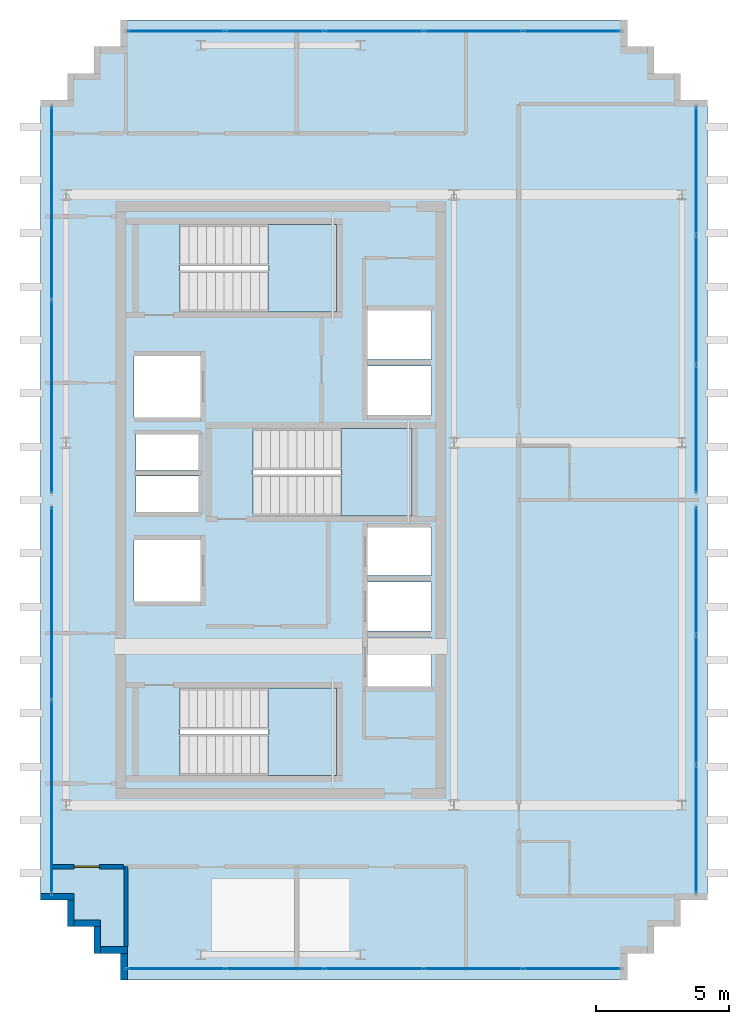
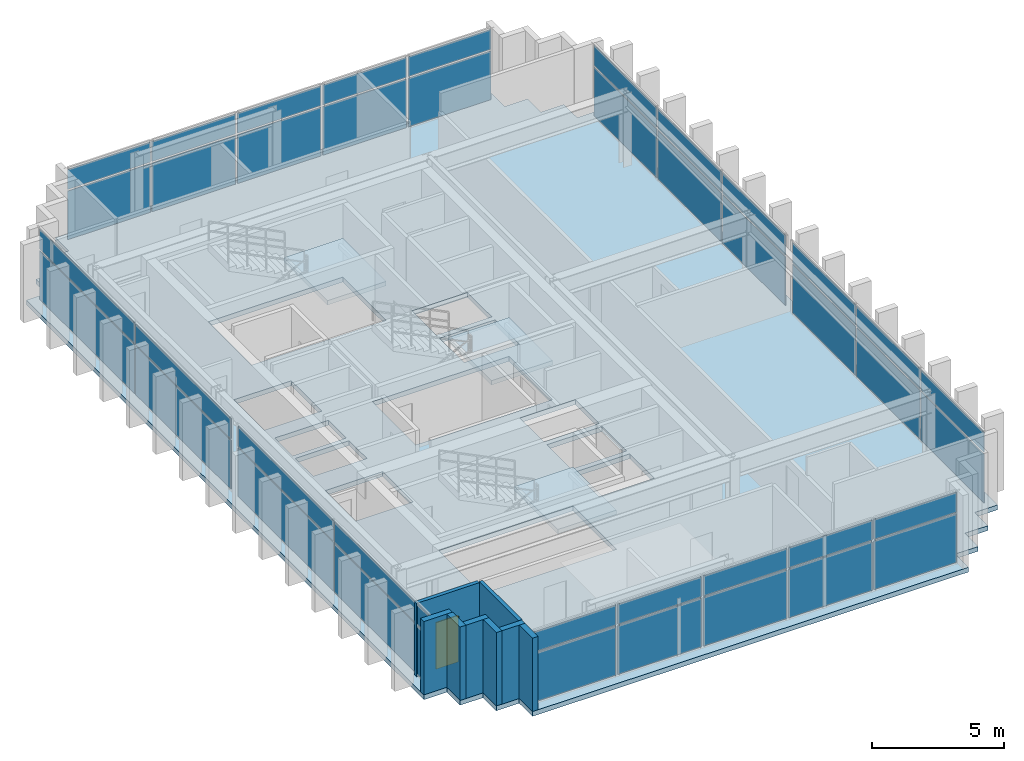
# One storey, part 11 of 15: 40 plates, 8 walls, 4 slabs, 1 door, 1 opening, 9 elements without a shape of their own.
"""IFC4 building model written with IfcOpenShell, lengths in metres."""

from ifc_helpers import new_model, si_unit, direction, frame, frame_2d, origin, origin_2d, place, context, subcontext, project, spatial, polyline, rectangle, outline, extrude, source, transform, mapped, material, layer, layer_set, type_object, element, fill, aggregate, save


model = new_model("IFC4")

# Units and contexts
model_context = context("Model", 3, precision=1e-05, world=origin(), true_north=direction((0.0, 1.0)))
body_context = subcontext(model_context, "Body", "Model", "MODEL_VIEW")
ifc_project = project(units=[si_unit("LENGTHUNIT", "METRE"), si_unit("AREAUNIT", "SQUARE_METRE"), si_unit("VOLUMEUNIT", "CUBIC_METRE"), si_unit("PLANEANGLEUNIT", "RADIAN"), si_unit("MASSUNIT", "GRAM", prefix="KILO")], contexts=[model_context])

# Site, building, storey
site_placement = place(None, origin())
site = spatial("IfcSite", under=ifc_project, at=site_placement, CompositionType="ELEMENT")
building_placement = place(site_placement, origin())
building = spatial("IfcBuilding", under=site, at=building_placement, Name="Ocotamira Hotel", CompositionType="ELEMENT")
storey_placement = place(building_placement, frame((0.0, 0.0, 294.0)))
storey = spatial("IfcBuildingStorey", under=building, at=storey_placement, Name="L75", CompositionType="ELEMENT", Elevation=294.0)

# Stair, slab
ifc_material_1 = material(Name="Concrete C40/50", Category="concrete")
stair_type = type_object("IfcStairType", Name="ST-CORE-1560", PredefinedType="HALF_TURN_STAIR", material=ifc_material_1)
stair_1_placement = place(storey_placement, origin())
stair_1 = element("IfcStair", 1, at=stair_1_placement, inside=storey, type_object=stair_type, Name="L75 Exit Stair ST-1", PredefinedType="HALF_TURN_STAIR")
ifc_layer_1 = layer(ifc_material_1, 0.199951171875)
ifc_layer_set_1 = layer_set([ifc_layer_1], Name="Concrete C40/50")
slab_type_1 = type_object("IfcSlabType", Name="SLB-LAND-200", PredefinedType="LANDING", material=ifc_layer_set_1)
slab_1_placement = place(storey_placement, frame((0.0, 0.0, 1.60009765625)))
slab_1 = element("IfcSlab", 2, at=slab_1_placement, type_object=slab_type_1, Name="ST-1 landing 1", PredefinedType="LANDING", context=body_context, shape_type="SweptSolid", body=[
    extrude(outline(polyline([(16.530029296875, 15.669921875), (19.090087890625, 15.669921875), (19.090087890625, 18.949951171875), (16.530029296875, 18.949951171875), (16.530029296875, 15.669921875)])), origin(), (0.0, 0.0, 1.0), 0.199951171875),
])
aggregate(stair_1, [slab_1])

stair_2_placement = place(storey_placement, origin())
stair_2 = element("IfcStair", 3, at=stair_2_placement, inside=storey, type_object=stair_type, Name="L75 Exit Stair ST-2", PredefinedType="HALF_TURN_STAIR")
slab_2_placement = place(storey_placement, frame((0.0, 0.0, 1.60009765625)))
slab_2 = element("IfcSlab", 4, at=slab_2_placement, type_object=slab_type_1, Name="ST-2 landing 1", PredefinedType="LANDING", context=body_context, shape_type="SweptSolid", body=[
    extrude(outline(polyline([(16.530029296875, 33.050048828125), (19.090087890625, 33.050048828125), (19.090087890625, 36.330078125), (16.530029296875, 36.330078125), (16.530029296875, 33.050048828125)])), origin(), (0.0, 0.0, 1.0), 0.199951171875),
])
aggregate(stair_2, [slab_2])

stair_3_placement = place(storey_placement, origin())
stair_3 = element("IfcStair", 5, at=stair_3_placement, inside=storey, type_object=stair_type, Name="L75 Exit Stair ST-3", PredefinedType="HALF_TURN_STAIR")
slab_3_placement = place(storey_placement, frame((0.0, 0.0, 1.60009765625)))
slab_3 = element("IfcSlab", 6, at=slab_3_placement, type_object=slab_type_1, Name="ST-3 landing 1", PredefinedType="LANDING", context=body_context, shape_type="SweptSolid", body=[
    extrude(outline(polyline([(19.260009765625, 25.39990234375), (21.919921875, 25.39990234375), (21.919921875, 28.679931640625), (19.260009765625, 28.679931640625), (19.260009765625, 25.39990234375)])), origin(), (0.0, 0.0, 1.0), 0.199951171875),
])
aggregate(stair_3, [slab_3])

# Slab
ifc_layer_2 = layer(ifc_material_1, 0.219970703125)
ifc_layer_set_2 = layer_set([ifc_layer_2], Name="Concrete C40/50")
slab_type_2 = type_object("IfcSlabType", Name="SLB-UPP-220", PredefinedType="FLOOR", material=ifc_layer_set_2)
slab_4_placement = place(storey_placement, frame((0.0, 0.0, -0.219970703125)))
element("IfcSlab", 7, at=slab_4_placement, inside=storey, type_object=slab_type_2, Name="L75 Structural Floor Slab", PredefinedType="FLOOR", context=body_context, shape_type="SweptSolid", body=[
    extrude(outline(polyline([(11.0, 8.0), (30.0, 8.0), (30.0, 9.0), (31.0, 9.0), (31.0, 10.0), (32.0, 10.0), (32.0, 11.0), (33.0, 11.0), (33.0, 41.0), (32.0, 41.0), (32.0, 42.0), (31.0, 42.0), (31.0, 43.0), (30.0, 43.0), (30.0, 44.0), (11.0, 44.0), (11.0, 43.0), (10.0, 43.0), (10.0, 42.0), (9.0, 42.0), (9.0, 41.0), (8.0, 41.0), (8.0, 11.0), (9.0, 11.0), (9.0, 10.0), (10.0, 10.0), (10.0, 9.0), (11.0, 9.0), (11.0, 8.0)]), holes=[polyline([(13.22998046875, 15.669921875), (19.090087890625, 15.669921875), (19.090087890625, 18.949951171875), (13.22998046875, 18.949951171875), (13.22998046875, 15.669921875)]), polyline([(13.22998046875, 33.050048828125), (19.090087890625, 33.050048828125), (19.090087890625, 36.330078125), (13.22998046875, 36.330078125), (13.22998046875, 33.050048828125)]), polyline([(15.9599609375, 25.39990234375), (21.919921875, 25.39990234375), (21.919921875, 28.679931640625), (15.9599609375, 28.679931640625), (15.9599609375, 25.39990234375)]), polyline([(20.25, 19.0), (22.659912109375, 19.0), (22.659912109375, 20.85009765625), (20.25, 20.85009765625), (20.25, 19.0)]), polyline([(20.25, 21.080078125), (22.659912109375, 21.080078125), (22.659912109375, 22.929931640625), (20.25, 22.929931640625), (20.25, 21.080078125)]), polyline([(20.25, 23.159912109375), (22.659912109375, 23.159912109375), (22.659912109375, 24.9599609375), (20.25, 24.9599609375), (20.25, 23.159912109375)]), polyline([(20.25, 29.179931640625), (22.659912109375, 29.179931640625), (22.659912109375, 31.030029296875), (20.25, 31.030029296875), (20.25, 29.179931640625)]), polyline([(20.25, 31.260009765625), (22.659912109375, 31.260009765625), (22.659912109375, 33.110107421875), (20.25, 33.110107421875), (20.25, 31.260009765625)]), polyline([(11.5, 22.199951171875), (14.0, 22.199951171875), (14.0, 24.5), (11.5, 24.5), (11.5, 22.199951171875)]), polyline([(11.5, 29.10009765625), (14.0, 29.10009765625), (14.0, 31.39990234375), (11.5, 31.39990234375), (11.5, 29.10009765625)]), polyline([(11.580078125, 25.550048828125), (13.919921875, 25.550048828125), (13.919921875, 26.89990234375), (11.580078125, 26.89990234375), (11.580078125, 25.550048828125)]), polyline([(11.580078125, 27.10009765625), (13.919921875, 27.10009765625), (13.919921875, 28.449951171875), (11.580078125, 28.449951171875), (11.580078125, 27.10009765625)])]), origin(), (0.0, 0.0, 1.0), 0.219970703125),
])

# Curtain wall, plates
ifc_material_2 = material(Name="Anodised pale-metal aluminium and solar glass", Category="aluminium")
ifc_layer_3 = layer(ifc_material_2, 0.2099609375)
ifc_layer_set_3 = layer_set([ifc_layer_3], Name="Anodised pale-metal aluminium and solar glass")
curtain_wall_type = type_object("IfcCurtainWallType", Name="CW-SYS7-PEAK", PredefinedType="NOTDEFINED", material=ifc_layer_set_3)
curtain_wall_1_placement = place(storey_placement, origin())
curtain_wall_1 = element("IfcCurtainWall", 8, at=curtain_wall_1_placement, inside=storey, type_object=curtain_wall_type, Name="L75 Curtain Wall CW-7 CW-L75-W1", PredefinedType="NOTDEFINED")
ifc_material_3 = material(Name="Double-silver low-E insulated solar glass", Category="glass")
ifc_layer_4 = layer(ifc_material_3, 0.031982421875)
ifc_layer_set_4 = layer_set([ifc_layer_4], Name="Double-silver low-E insulated solar glass")
plate_type = type_object("IfcPlateType", Name="CWP-VISION-32", PredefinedType="CURTAIN_PANEL", material=ifc_layer_set_4)
shared_shape_1 = source(origin(), body_context, "Body", "SweptSolid", [
    extrude(rectangle(XDim=7.179931640625, YDim=0.031982421875, at=origin_2d()), origin(), (0.0, 0.0, 1.0), 2.237548828125),
])
plate_1_placement = place(storey_placement, frame((8.419921875, 14.8701171875, 0.0751953125), z_axis=(0.0, 0.0, 1.0), x_axis=(0.0, 1.0, 0.0)))
plate_1 = element("IfcPlate", 9, at=plate_1_placement, type_object=plate_type, Name="CW-7 panel 1.1", PredefinedType="CURTAIN_PANEL", context=body_context, shape_type="MappedRepresentation", body=[
    mapped(shared_shape_1, transform((0.0, 0.0, 0.0), scale=1.0)),
])
plate_2_placement = place(storey_placement, frame((8.419921875, 22.1298828125, 0.0751953125), z_axis=(0.0, 0.0, 1.0), x_axis=(0.0, 1.0, 0.0)))
plate_2 = element("IfcPlate", 10, at=plate_2_placement, type_object=plate_type, Name="CW-7 panel 2.1", PredefinedType="CURTAIN_PANEL", context=body_context, shape_type="MappedRepresentation", body=[
    mapped(shared_shape_1, transform((0.0, 0.0, 0.0), scale=1.0)),
])

curtain_wall_2_placement = place(storey_placement, origin())
curtain_wall_2 = element("IfcCurtainWall", 11, at=curtain_wall_2_placement, inside=storey, type_object=curtain_wall_type, Name="L75 Curtain Wall CW-7 CW-L75-W2", PredefinedType="NOTDEFINED")
plate_3_placement = place(storey_placement, frame((8.419921875, 29.8701171875, 0.0751953125), z_axis=(0.0, 0.0, 1.0), x_axis=(0.0, 1.0, 0.0)))
plate_3 = element("IfcPlate", 12, at=plate_3_placement, type_object=plate_type, Name="CW-7 panel 1.1", PredefinedType="CURTAIN_PANEL", context=body_context, shape_type="MappedRepresentation", body=[
    mapped(shared_shape_1, transform((0.0, 0.0, 0.0), scale=1.0)),
])
plate_4_placement = place(storey_placement, frame((8.419921875, 37.1298828125, 0.0751953125), z_axis=(0.0, 0.0, 1.0), x_axis=(0.0, 1.0, 0.0)))
plate_4 = element("IfcPlate", 13, at=plate_4_placement, type_object=plate_type, Name="CW-7 panel 2.1", PredefinedType="CURTAIN_PANEL", context=body_context, shape_type="MappedRepresentation", body=[
    mapped(shared_shape_1, transform((0.0, 0.0, 0.0), scale=1.0)),
])

# Plate
shared_shape_2 = source(origin(), body_context, "Body", "SweptSolid", [
    extrude(rectangle(XDim=7.179931640625, YDim=0.031982421875, at=origin_2d()), origin(), (0.0, 0.0, 1.0), 0.91748046875),
])
plate_5_placement = place(storey_placement, frame((8.419921875, 14.8701171875, 2.387451171875), z_axis=(0.0, 0.0, 1.0), x_axis=(0.0, 1.0, 0.0)))
plate_5 = element("IfcPlate", 14, at=plate_5_placement, type_object=plate_type, Name="CW-7 panel 1.2", PredefinedType="CURTAIN_PANEL", context=body_context, shape_type="MappedRepresentation", body=[
    mapped(shared_shape_2, transform((0.0, 0.0, 0.0), scale=1.0)),
])

plate_6_placement = place(storey_placement, frame((8.419921875, 22.1298828125, 2.387451171875), z_axis=(0.0, 0.0, 1.0), x_axis=(0.0, 1.0, 0.0)))
plate_6 = element("IfcPlate", 15, at=plate_6_placement, type_object=plate_type, Name="CW-7 panel 2.2", PredefinedType="CURTAIN_PANEL", context=body_context, shape_type="MappedRepresentation", body=[
    mapped(shared_shape_2, transform((0.0, 0.0, 0.0), scale=1.0)),
])

aggregate(curtain_wall_1, [plate_1, plate_5, plate_2, plate_6])

plate_7_placement = place(storey_placement, frame((8.419921875, 29.8701171875, 2.387451171875), z_axis=(0.0, 0.0, 1.0), x_axis=(0.0, 1.0, 0.0)))
plate_7 = element("IfcPlate", 16, at=plate_7_placement, type_object=plate_type, Name="CW-7 panel 1.2", PredefinedType="CURTAIN_PANEL", context=body_context, shape_type="MappedRepresentation", body=[
    mapped(shared_shape_2, transform((0.0, 0.0, 0.0), scale=1.0)),
])

plate_8_placement = place(storey_placement, frame((8.419921875, 37.1298828125, 2.387451171875), z_axis=(0.0, 0.0, 1.0), x_axis=(0.0, 1.0, 0.0)))
plate_8 = element("IfcPlate", 17, at=plate_8_placement, type_object=plate_type, Name="CW-7 panel 2.2", PredefinedType="CURTAIN_PANEL", context=body_context, shape_type="MappedRepresentation", body=[
    mapped(shared_shape_2, transform((0.0, 0.0, 0.0), scale=1.0)),
])

aggregate(curtain_wall_2, [plate_3, plate_7, plate_4, plate_8])

# Curtain wall, plates
curtain_wall_3_placement = place(storey_placement, origin())
curtain_wall_3 = element("IfcCurtainWall", 18, at=curtain_wall_3_placement, inside=storey, type_object=curtain_wall_type, Name="L75 Curtain Wall CW-7 CW-L75-S1", PredefinedType="NOTDEFINED")
shared_shape_3 = source(origin(), body_context, "Body", "SweptSolid", [
    extrude(rectangle(XDim=3.60009765625, YDim=0.031982421875, at=origin_2d()), origin(), (0.0, 0.0, 1.0), 2.237548828125),
])
plate_9_placement = place(storey_placement, frame((13.080078125, 8.419921875, 0.0751953125), z_axis=(0.0, 0.0, 1.0), x_axis=(1.0, 0.0, 0.0)))
plate_9 = element("IfcPlate", 19, at=plate_9_placement, type_object=plate_type, Name="CW-7 panel 1.1", PredefinedType="CURTAIN_PANEL", context=body_context, shape_type="MappedRepresentation", body=[
    mapped(shared_shape_3, transform((0.0, 0.0, 0.0), scale=1.0)),
])
plate_10_placement = place(storey_placement, frame((27.919921875, 8.419921875, 0.0751953125), z_axis=(0.0, 0.0, 1.0), x_axis=(1.0, 0.0, 0.0)))
plate_10 = element("IfcPlate", 20, at=plate_10_placement, type_object=plate_type, Name="CW-7 panel 5.1", PredefinedType="CURTAIN_PANEL", context=body_context, shape_type="MappedRepresentation", body=[
    mapped(shared_shape_3, transform((0.0, 0.0, 0.0), scale=1.0)),
])

curtain_wall_4_placement = place(storey_placement, origin())
curtain_wall_4 = element("IfcCurtainWall", 21, at=curtain_wall_4_placement, inside=storey, type_object=curtain_wall_type, Name="L75 Curtain Wall CW-7 CW-L75-N", PredefinedType="NOTDEFINED")
plate_11_placement = place(storey_placement, frame((13.080078125, 43.580078125, 0.0751953125), z_axis=(0.0, 0.0, 1.0), x_axis=(1.0, 0.0, 0.0)))
plate_11 = element("IfcPlate", 22, at=plate_11_placement, type_object=plate_type, Name="CW-7 panel 1.1", PredefinedType="CURTAIN_PANEL", context=body_context, shape_type="MappedRepresentation", body=[
    mapped(shared_shape_3, transform((0.0, 0.0, 0.0), scale=1.0)),
])
plate_12_placement = place(storey_placement, frame((27.919921875, 43.580078125, 0.0751953125), z_axis=(0.0, 0.0, 1.0), x_axis=(1.0, 0.0, 0.0)))
plate_12 = element("IfcPlate", 23, at=plate_12_placement, type_object=plate_type, Name="CW-7 panel 5.1", PredefinedType="CURTAIN_PANEL", context=body_context, shape_type="MappedRepresentation", body=[
    mapped(shared_shape_3, transform((0.0, 0.0, 0.0), scale=1.0)),
])

# Plate
shared_shape_4 = source(origin(), body_context, "Body", "SweptSolid", [
    extrude(rectangle(XDim=3.60009765625, YDim=0.031982421875, at=origin_2d()), origin(), (0.0, 0.0, 1.0), 0.91748046875),
])
plate_13_placement = place(storey_placement, frame((13.080078125, 8.419921875, 2.387451171875), z_axis=(0.0, 0.0, 1.0), x_axis=(1.0, 0.0, 0.0)))
plate_13 = element("IfcPlate", 24, at=plate_13_placement, type_object=plate_type, Name="CW-7 panel 1.2", PredefinedType="CURTAIN_PANEL", context=body_context, shape_type="MappedRepresentation", body=[
    mapped(shared_shape_4, transform((0.0, 0.0, 0.0), scale=1.0)),
])

plate_14_placement = place(storey_placement, frame((27.919921875, 8.419921875, 2.387451171875), z_axis=(0.0, 0.0, 1.0), x_axis=(1.0, 0.0, 0.0)))
plate_14 = element("IfcPlate", 25, at=plate_14_placement, type_object=plate_type, Name="CW-7 panel 5.2", PredefinedType="CURTAIN_PANEL", context=body_context, shape_type="MappedRepresentation", body=[
    mapped(shared_shape_4, transform((0.0, 0.0, 0.0), scale=1.0)),
])

plate_15_placement = place(storey_placement, frame((13.080078125, 43.580078125, 2.387451171875), z_axis=(0.0, 0.0, 1.0), x_axis=(1.0, 0.0, 0.0)))
plate_15 = element("IfcPlate", 26, at=plate_15_placement, type_object=plate_type, Name="CW-7 panel 1.2", PredefinedType="CURTAIN_PANEL", context=body_context, shape_type="MappedRepresentation", body=[
    mapped(shared_shape_4, transform((0.0, 0.0, 0.0), scale=1.0)),
])

plate_16_placement = place(storey_placement, frame((27.919921875, 43.580078125, 2.387451171875), z_axis=(0.0, 0.0, 1.0), x_axis=(1.0, 0.0, 0.0)))
plate_16 = element("IfcPlate", 27, at=plate_16_placement, type_object=plate_type, Name="CW-7 panel 5.2", PredefinedType="CURTAIN_PANEL", context=body_context, shape_type="MappedRepresentation", body=[
    mapped(shared_shape_4, transform((0.0, 0.0, 0.0), scale=1.0)),
])

shared_shape_5 = source(origin(), body_context, "Body", "SweptSolid", [
    extrude(rectangle(XDim=3.639892578125, YDim=0.031982421875, at=origin_2d()), origin(), (0.0, 0.0, 1.0), 2.237548828125),
])
plate_17_placement = place(storey_placement, frame((16.780029296875, 8.419921875, 0.0751953125), z_axis=(0.0, 0.0, 1.0), x_axis=(1.0, 0.0, 0.0)))
plate_17 = element("IfcPlate", 28, at=plate_17_placement, type_object=plate_type, Name="CW-7 panel 2.1", PredefinedType="CURTAIN_PANEL", context=body_context, shape_type="MappedRepresentation", body=[
    mapped(shared_shape_5, transform((0.0, 0.0, 0.0), scale=1.0)),
])

plate_18_placement = place(storey_placement, frame((20.5, 8.419921875, 0.0751953125), z_axis=(0.0, 0.0, 1.0), x_axis=(1.0, 0.0, 0.0)))
plate_18 = element("IfcPlate", 29, at=plate_18_placement, type_object=plate_type, Name="CW-7 panel 3.1", PredefinedType="CURTAIN_PANEL", context=body_context, shape_type="MappedRepresentation", body=[
    mapped(shared_shape_5, transform((0.0, 0.0, 0.0), scale=1.0)),
])

plate_19_placement = place(storey_placement, frame((24.219970703125, 8.419921875, 0.0751953125), z_axis=(0.0, 0.0, 1.0), x_axis=(1.0, 0.0, 0.0)))
plate_19 = element("IfcPlate", 30, at=plate_19_placement, type_object=plate_type, Name="CW-7 panel 4.1", PredefinedType="CURTAIN_PANEL", context=body_context, shape_type="MappedRepresentation", body=[
    mapped(shared_shape_5, transform((0.0, 0.0, 0.0), scale=1.0)),
])

plate_20_placement = place(storey_placement, frame((16.780029296875, 43.580078125, 0.0751953125), z_axis=(0.0, 0.0, 1.0), x_axis=(1.0, 0.0, 0.0)))
plate_20 = element("IfcPlate", 31, at=plate_20_placement, type_object=plate_type, Name="CW-7 panel 2.1", PredefinedType="CURTAIN_PANEL", context=body_context, shape_type="MappedRepresentation", body=[
    mapped(shared_shape_5, transform((0.0, 0.0, 0.0), scale=1.0)),
])

plate_21_placement = place(storey_placement, frame((20.5, 43.580078125, 0.0751953125), z_axis=(0.0, 0.0, 1.0), x_axis=(1.0, 0.0, 0.0)))
plate_21 = element("IfcPlate", 32, at=plate_21_placement, type_object=plate_type, Name="CW-7 panel 3.1", PredefinedType="CURTAIN_PANEL", context=body_context, shape_type="MappedRepresentation", body=[
    mapped(shared_shape_5, transform((0.0, 0.0, 0.0), scale=1.0)),
])

plate_22_placement = place(storey_placement, frame((24.219970703125, 43.580078125, 0.0751953125), z_axis=(0.0, 0.0, 1.0), x_axis=(1.0, 0.0, 0.0)))
plate_22 = element("IfcPlate", 33, at=plate_22_placement, type_object=plate_type, Name="CW-7 panel 4.1", PredefinedType="CURTAIN_PANEL", context=body_context, shape_type="MappedRepresentation", body=[
    mapped(shared_shape_5, transform((0.0, 0.0, 0.0), scale=1.0)),
])

shared_shape_6 = source(origin(), body_context, "Body", "SweptSolid", [
    extrude(rectangle(XDim=3.639892578125, YDim=0.031982421875, at=origin_2d()), origin(), (0.0, 0.0, 1.0), 0.91748046875),
])
plate_23_placement = place(storey_placement, frame((16.780029296875, 8.419921875, 2.387451171875), z_axis=(0.0, 0.0, 1.0), x_axis=(1.0, 0.0, 0.0)))
plate_23 = element("IfcPlate", 34, at=plate_23_placement, type_object=plate_type, Name="CW-7 panel 2.2", PredefinedType="CURTAIN_PANEL", context=body_context, shape_type="MappedRepresentation", body=[
    mapped(shared_shape_6, transform((0.0, 0.0, 0.0), scale=1.0)),
])

plate_24_placement = place(storey_placement, frame((20.5, 8.419921875, 2.387451171875), z_axis=(0.0, 0.0, 1.0), x_axis=(1.0, 0.0, 0.0)))
plate_24 = element("IfcPlate", 35, at=plate_24_placement, type_object=plate_type, Name="CW-7 panel 3.2", PredefinedType="CURTAIN_PANEL", context=body_context, shape_type="MappedRepresentation", body=[
    mapped(shared_shape_6, transform((0.0, 0.0, 0.0), scale=1.0)),
])

plate_25_placement = place(storey_placement, frame((24.219970703125, 8.419921875, 2.387451171875), z_axis=(0.0, 0.0, 1.0), x_axis=(1.0, 0.0, 0.0)))
plate_25 = element("IfcPlate", 36, at=plate_25_placement, type_object=plate_type, Name="CW-7 panel 4.2", PredefinedType="CURTAIN_PANEL", context=body_context, shape_type="MappedRepresentation", body=[
    mapped(shared_shape_6, transform((0.0, 0.0, 0.0), scale=1.0)),
])

aggregate(curtain_wall_3, [plate_9, plate_13, plate_17, plate_23, plate_18, plate_24, plate_19, plate_25, plate_10, plate_14])

plate_26_placement = place(storey_placement, frame((16.780029296875, 43.580078125, 2.387451171875), z_axis=(0.0, 0.0, 1.0), x_axis=(1.0, 0.0, 0.0)))
plate_26 = element("IfcPlate", 37, at=plate_26_placement, type_object=plate_type, Name="CW-7 panel 2.2", PredefinedType="CURTAIN_PANEL", context=body_context, shape_type="MappedRepresentation", body=[
    mapped(shared_shape_6, transform((0.0, 0.0, 0.0), scale=1.0)),
])

plate_27_placement = place(storey_placement, frame((20.5, 43.580078125, 2.387451171875), z_axis=(0.0, 0.0, 1.0), x_axis=(1.0, 0.0, 0.0)))
plate_27 = element("IfcPlate", 38, at=plate_27_placement, type_object=plate_type, Name="CW-7 panel 3.2", PredefinedType="CURTAIN_PANEL", context=body_context, shape_type="MappedRepresentation", body=[
    mapped(shared_shape_6, transform((0.0, 0.0, 0.0), scale=1.0)),
])

plate_28_placement = place(storey_placement, frame((24.219970703125, 43.580078125, 2.387451171875), z_axis=(0.0, 0.0, 1.0), x_axis=(1.0, 0.0, 0.0)))
plate_28 = element("IfcPlate", 39, at=plate_28_placement, type_object=plate_type, Name="CW-7 panel 4.2", PredefinedType="CURTAIN_PANEL", context=body_context, shape_type="MappedRepresentation", body=[
    mapped(shared_shape_6, transform((0.0, 0.0, 0.0), scale=1.0)),
])

aggregate(curtain_wall_4, [plate_11, plate_15, plate_20, plate_26, plate_21, plate_27, plate_22, plate_28, plate_12, plate_16])

# Curtain wall, plates
curtain_wall_5_placement = place(storey_placement, origin())
curtain_wall_5 = element("IfcCurtainWall", 40, at=curtain_wall_5_placement, inside=storey, type_object=curtain_wall_type, Name="L75 Curtain Wall CW-7 CW-L75-E1", PredefinedType="NOTDEFINED")
shared_shape_7 = source(origin(), body_context, "Body", "SweptSolid", [
    extrude(rectangle(XDim=4.74658203125, YDim=0.031982421875, at=origin_2d()), origin(), (0.0, 0.0, 1.0), 2.237548828125),
])
plate_29_placement = place(storey_placement, frame((32.580078125, 13.6533203125, 0.0751953125), z_axis=(0.0, 0.0, 1.0), x_axis=(0.0, 1.0, 0.0)))
plate_29 = element("IfcPlate", 41, at=plate_29_placement, type_object=plate_type, Name="CW-7 panel 1.1", PredefinedType="CURTAIN_PANEL", context=body_context, shape_type="MappedRepresentation", body=[
    mapped(shared_shape_7, transform((0.0, 0.0, 0.0), scale=1.0)),
])
plate_30_placement = place(storey_placement, frame((32.580078125, 23.3466796875, 0.0751953125), z_axis=(0.0, 0.0, 1.0), x_axis=(0.0, 1.0, 0.0)))
plate_30 = element("IfcPlate", 42, at=plate_30_placement, type_object=plate_type, Name="CW-7 panel 3.1", PredefinedType="CURTAIN_PANEL", context=body_context, shape_type="MappedRepresentation", body=[
    mapped(shared_shape_7, transform((0.0, 0.0, 0.0), scale=1.0)),
])

curtain_wall_6_placement = place(storey_placement, origin())
curtain_wall_6 = element("IfcCurtainWall", 43, at=curtain_wall_6_placement, inside=storey, type_object=curtain_wall_type, Name="L75 Curtain Wall CW-7 CW-L75-E2", PredefinedType="NOTDEFINED")
plate_31_placement = place(storey_placement, frame((32.580078125, 28.6533203125, 0.0751953125), z_axis=(0.0, 0.0, 1.0), x_axis=(0.0, 1.0, 0.0)))
plate_31 = element("IfcPlate", 44, at=plate_31_placement, type_object=plate_type, Name="CW-7 panel 1.1", PredefinedType="CURTAIN_PANEL", context=body_context, shape_type="MappedRepresentation", body=[
    mapped(shared_shape_7, transform((0.0, 0.0, 0.0), scale=1.0)),
])
plate_32_placement = place(storey_placement, frame((32.580078125, 38.3466796875, 0.0751953125), z_axis=(0.0, 0.0, 1.0), x_axis=(0.0, 1.0, 0.0)))
plate_32 = element("IfcPlate", 45, at=plate_32_placement, type_object=plate_type, Name="CW-7 panel 3.1", PredefinedType="CURTAIN_PANEL", context=body_context, shape_type="MappedRepresentation", body=[
    mapped(shared_shape_7, transform((0.0, 0.0, 0.0), scale=1.0)),
])

# Plate
shared_shape_8 = source(origin(), body_context, "Body", "SweptSolid", [
    extrude(rectangle(XDim=4.74658203125, YDim=0.031982421875, at=origin_2d()), origin(), (0.0, 0.0, 1.0), 0.91748046875),
])
plate_33_placement = place(storey_placement, frame((32.580078125, 13.6533203125, 2.387451171875), z_axis=(0.0, 0.0, 1.0), x_axis=(0.0, 1.0, 0.0)))
plate_33 = element("IfcPlate", 46, at=plate_33_placement, type_object=plate_type, Name="CW-7 panel 1.2", PredefinedType="CURTAIN_PANEL", context=body_context, shape_type="MappedRepresentation", body=[
    mapped(shared_shape_8, transform((0.0, 0.0, 0.0), scale=1.0)),
])

plate_34_placement = place(storey_placement, frame((32.580078125, 23.3466796875, 2.387451171875), z_axis=(0.0, 0.0, 1.0), x_axis=(0.0, 1.0, 0.0)))
plate_34 = element("IfcPlate", 47, at=plate_34_placement, type_object=plate_type, Name="CW-7 panel 3.2", PredefinedType="CURTAIN_PANEL", context=body_context, shape_type="MappedRepresentation", body=[
    mapped(shared_shape_8, transform((0.0, 0.0, 0.0), scale=1.0)),
])

plate_35_placement = place(storey_placement, frame((32.580078125, 28.6533203125, 2.387451171875), z_axis=(0.0, 0.0, 1.0), x_axis=(0.0, 1.0, 0.0)))
plate_35 = element("IfcPlate", 48, at=plate_35_placement, type_object=plate_type, Name="CW-7 panel 1.2", PredefinedType="CURTAIN_PANEL", context=body_context, shape_type="MappedRepresentation", body=[
    mapped(shared_shape_8, transform((0.0, 0.0, 0.0), scale=1.0)),
])

plate_36_placement = place(storey_placement, frame((32.580078125, 38.3466796875, 2.387451171875), z_axis=(0.0, 0.0, 1.0), x_axis=(0.0, 1.0, 0.0)))
plate_36 = element("IfcPlate", 49, at=plate_36_placement, type_object=plate_type, Name="CW-7 panel 3.2", PredefinedType="CURTAIN_PANEL", context=body_context, shape_type="MappedRepresentation", body=[
    mapped(shared_shape_8, transform((0.0, 0.0, 0.0), scale=1.0)),
])

shared_shape_9 = source(origin(), body_context, "Body", "SweptSolid", [
    extrude(rectangle(XDim=4.78662109375, YDim=0.031982421875, at=origin_2d()), origin(), (0.0, 0.0, 1.0), 2.237548828125),
])
plate_37_placement = place(storey_placement, frame((32.580078125, 18.5, 0.0751953125), z_axis=(0.0, 0.0, 1.0), x_axis=(0.0, 1.0, 0.0)))
plate_37 = element("IfcPlate", 50, at=plate_37_placement, type_object=plate_type, Name="CW-7 panel 2.1", PredefinedType="CURTAIN_PANEL", context=body_context, shape_type="MappedRepresentation", body=[
    mapped(shared_shape_9, transform((0.0, 0.0, 0.0), scale=1.0)),
])

plate_38_placement = place(storey_placement, frame((32.580078125, 33.5, 0.0751953125), z_axis=(0.0, 0.0, 1.0), x_axis=(0.0, 1.0, 0.0)))
plate_38 = element("IfcPlate", 51, at=plate_38_placement, type_object=plate_type, Name="CW-7 panel 2.1", PredefinedType="CURTAIN_PANEL", context=body_context, shape_type="MappedRepresentation", body=[
    mapped(shared_shape_9, transform((0.0, 0.0, 0.0), scale=1.0)),
])

shared_shape_10 = source(origin(), body_context, "Body", "SweptSolid", [
    extrude(rectangle(XDim=4.78662109375, YDim=0.031982421875, at=origin_2d()), origin(), (0.0, 0.0, 1.0), 0.91748046875),
])
plate_39_placement = place(storey_placement, frame((32.580078125, 18.5, 2.387451171875), z_axis=(0.0, 0.0, 1.0), x_axis=(0.0, 1.0, 0.0)))
plate_39 = element("IfcPlate", 52, at=plate_39_placement, type_object=plate_type, Name="CW-7 panel 2.2", PredefinedType="CURTAIN_PANEL", context=body_context, shape_type="MappedRepresentation", body=[
    mapped(shared_shape_10, transform((0.0, 0.0, 0.0), scale=1.0)),
])

aggregate(curtain_wall_5, [plate_29, plate_33, plate_37, plate_39, plate_30, plate_34])

plate_40_placement = place(storey_placement, frame((32.580078125, 33.5, 2.387451171875), z_axis=(0.0, 0.0, 1.0), x_axis=(0.0, 1.0, 0.0)))
plate_40 = element("IfcPlate", 53, at=plate_40_placement, type_object=plate_type, Name="CW-7 panel 2.2", PredefinedType="CURTAIN_PANEL", context=body_context, shape_type="MappedRepresentation", body=[
    mapped(shared_shape_10, transform((0.0, 0.0, 0.0), scale=1.0)),
])

aggregate(curtain_wall_6, [plate_31, plate_35, plate_38, plate_40, plate_32, plate_36])

# Walls
ifc_material_4 = material(Name="Precast concrete C45/55", Category="concrete")
ifc_layer_5 = layer(ifc_material_4, 0.25)
ifc_layer_set_5 = layer_set([ifc_layer_5], Name="Precast concrete C45/55")
wall_type_1 = type_object("IfcWallType", Name="WL-EXT-SER-250", PredefinedType="SOLIDWALL", material=ifc_layer_set_5)
wall_1_placement = place(storey_placement, frame((8.0, 11.125, 0.0), z_axis=(0.0, 0.0, 1.0), x_axis=(1.0, 0.0, 0.0)))
element("IfcWall", 54, at=wall_1_placement, inside=storey, type_object=wall_type_1, Name="L75 Serrated Corner Wall 19", PredefinedType="SOLIDWALL", context=body_context, shape_type="SweptSolid", body=[
    extrude(rectangle(XDim=1.25, YDim=0.25, at=frame_2d((0.625, 0.0))), origin(), (0.0, 0.0, 1.0), 3.3798828125),
])
for number, where, z_axis, x_axis, name in (
    (55, (9.125, 11.0, 0.0), (0.0, 0.0, 1.0), (0.0, -1.0, 0.0), "L75 Serrated Corner Wall 20"),
    (56, (9.25, 10.125, 0.0), (0.0, 0.0, 1.0), (1.0, 0.0, 0.0), "L75 Serrated Corner Wall 21"),
    (57, (10.125, 10.0, 0.0), (0.0, 0.0, 1.0), (0.0, -1.0, 0.0), "L75 Serrated Corner Wall 22"),
    (58, (10.25, 9.125, 0.0), (0.0, 0.0, 1.0), (1.0, 0.0, 0.0), "L75 Serrated Corner Wall 23"),
    (59, (11.125, 9.0, 0.0), (0.0, 0.0, 1.0), (0.0, -1.0, 0.0), "L75 Serrated Corner Wall 24"),
):
    element("IfcWall", number, at=place(storey_placement, frame(where, z_axis=z_axis, x_axis=x_axis)), inside=storey, type_object=wall_type_1, Name=name, PredefinedType="SOLIDWALL", context=body_context, shape_type="SweptSolid", body=[
        extrude(rectangle(XDim=1.0, YDim=0.25, at=frame_2d((0.5, 0.0))), origin(), (0.0, 0.0, 1.0), 3.3798828125),
    ])

# Wall, opening, door
ifc_material_5 = material(Name="Acoustic double-layer fire gypsum board partition", Category="gypsum")
ifc_layer_6 = layer(ifc_material_5, 0.159912109375)
ifc_layer_set_6 = layer_set([ifc_layer_6], Name="Acoustic double-layer fire gypsum board partition")
wall_type_2 = type_object("IfcWallType", Name="WL-FIRE-160", PredefinedType="PARTITIONING", material=ifc_layer_set_6)
wall_2_placement = place(storey_placement, frame((8.35009765625, 12.25, 0.0), z_axis=(0.0, 0.0, 1.0), x_axis=(1.0, 0.0, 0.0)))
wall_2 = element("IfcWall", 60, at=wall_2_placement, inside=storey, type_object=wall_type_2, Name="L75 Interior Wall PW-L75-WPCSW2-CW", PredefinedType="PARTITIONING", context=body_context, shape_type="SweptSolid", body=[
    extrude(rectangle(XDim=2.75, YDim=0.159912109375, at=frame_2d((1.375, 0.0))), origin(), (0.0, 0.0, 1.0), 3.3798828125),
])
opening_placement = place(wall_2_placement, frame((0.89501953125, 0.0, 0.0)))
opening = element("IfcOpeningElement", 61, at=opening_placement, cuts=wall_2, Name="Opening D-SV4", PredefinedType="OPENING", context=body_context, shape_type="SweptSolid", body=[
    extrude(rectangle(XDim=0.9599609375, YDim=2.14990234375, at=frame_2d((0.47998046875, 1.074951171875))), frame((0.0, 0.08984375, 0.0), z_axis=(0.0, -1.0, 0.0), x_axis=(1.0, 0.0, 0.0)), (0.0, 0.0, 1.0), 0.179931640625),
])
ifc_material_6 = material(Name="Fire-rated accessible walnut salon door", Category="wood")
door_type = type_object("IfcDoorType", Name="DR-SERV-960", OperationType="NOTDEFINED", PredefinedType="DOOR", material=ifc_material_6)
shared_shape_11 = source(origin(), body_context, "Body", "SweptSolid", [
    extrude(rectangle(XDim=0.9599609375, YDim=2.14990234375, at=frame_2d((0.47998046875, 1.074951171875))), frame((0.0, 0.02490234375, 0.0), z_axis=(0.0, -1.0, 0.0), x_axis=(1.0, 0.0, 0.0)), (0.0, 0.0, 1.0), 0.050048828125),
])
door_placement = place(opening_placement, origin())
door = element("IfcDoor", 62, at=door_placement, inside=storey, type_object=door_type, Name="L75 Door ID-L75-WPCSW2-CD [ID-L75-WPCSW2-CD]", OperationType="SINGLE_SWING_LEFT", OverallHeight=2.14990234375, OverallWidth=0.9599609375, PredefinedType="DOOR", context=body_context, shape_type="MappedRepresentation", body=[
    mapped(shared_shape_11, transform((0.0, 0.0, 0.0), scale=1.0)),
])
fill(opening, door)

# Wall
ifc_material_7 = material(Name="Acoustic double-stud hospitality gypsum partition", Category="gypsum")
ifc_layer_7 = layer(ifc_material_7, 0.159912109375)
ifc_layer_set_7 = layer_set([ifc_layer_7], Name="Acoustic double-stud hospitality gypsum partition")
wall_type_3 = type_object("IfcWallType", Name="WL-PART-160", PredefinedType="PARTITIONING", material=ifc_layer_set_7)
wall_3_placement = place(storey_placement, frame((11.199951171875, 9.260009765625, 0.0), z_axis=(0.0, 0.0, 1.0), x_axis=(0.0, 1.0, 0.0)))
element("IfcWall", 63, at=wall_3_placement, inside=storey, type_object=wall_type_3, Name="L75 Interior Wall PW-L75-WP2S-PW0", PredefinedType="PARTITIONING", context=body_context, shape_type="SweptSolid", body=[
    extrude(rectangle(XDim=2.989990234375, YDim=0.159912109375, at=frame_2d((1.4951171875, 0.0))), origin(), (0.0, 0.0, 1.0), 3.3798828125),
])

save(model, "model.ifc")
